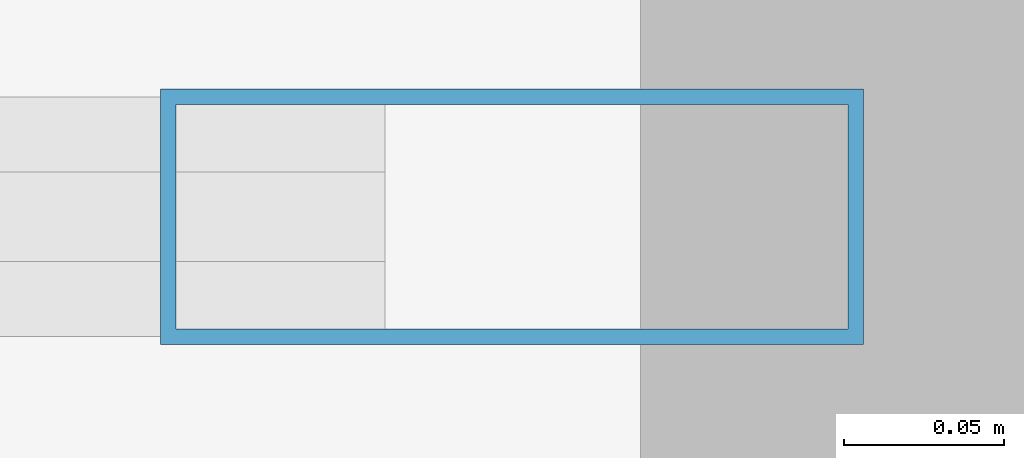
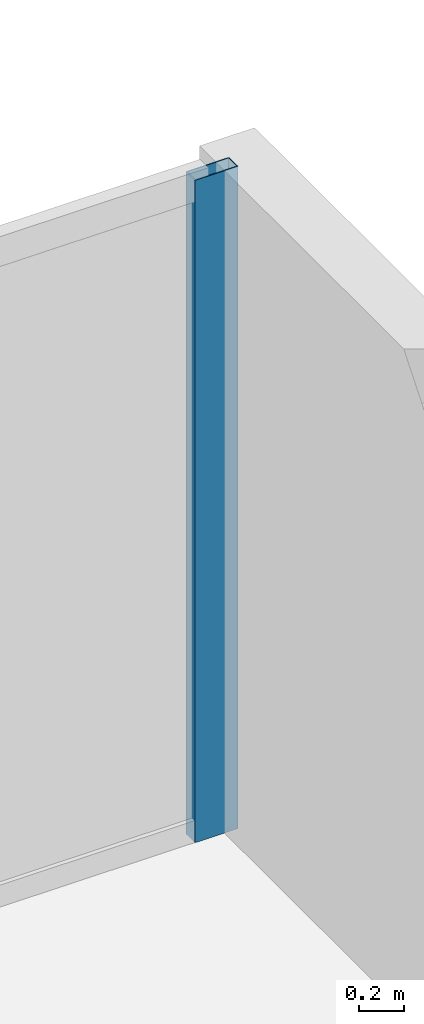
# One storey, part 15 of 27: 1 member, 1 element without a shape of its own.
"""IFC4 building model written with IfcOpenShell, lengths in metres."""

from ifc_helpers import new_model, si_unit, direction, frame, origin, origin_with_axes, origin_2d, place, context, subcontext, project, spatial, hollow_rectangle, extrude, source, transform, mapped, material, layer, layer_set, material_profile, profile_set, type_object, element, aggregate, save


model = new_model("IFC4")

# Units and contexts
model_context = context("Model", 3, precision=1e-05, world=origin(), true_north=direction((0.0, 1.0)))
body_context = subcontext(model_context, "Body", "Model", "MODEL_VIEW")
ifc_project = project(units=[si_unit("LENGTHUNIT", "METRE"), si_unit("AREAUNIT", "SQUARE_METRE"), si_unit("VOLUMEUNIT", "CUBIC_METRE"), si_unit("PLANEANGLEUNIT", "RADIAN"), si_unit("MASSUNIT", "GRAM", prefix="KILO")], contexts=[model_context])

# Site, building, storey
site_placement = place(None, origin())
site = spatial("IfcSite", under=ifc_project, at=site_placement, CompositionType="ELEMENT")
building_placement = place(site_placement, origin())
building = spatial("IfcBuilding", under=site, at=building_placement, Name="Kolvaren Waterfront Exchange", CompositionType="ELEMENT")
storey_placement = place(building_placement, frame((0.0, 0.0, 176.60009765625)))
storey = spatial("IfcBuildingStorey", under=building, at=storey_placement, Name="L45", CompositionType="ELEMENT", Elevation=176.60009765625)

# Curtain wall, member
ifc_material_1 = material(Name="Anodised bronze aluminium 6063-T6", Category="aluminium")
ifc_layer = layer(ifc_material_1, 0.219970703125, Name="Anodised bronze aluminium 6063-T6")
ifc_layer_set = layer_set([ifc_layer], Name="Anodised bronze aluminium 6063-T6")
curtain_wall_type = type_object("IfcCurtainWallType", Name="ARC-CW-SYS1", PredefinedType="USERDEFINED", material=ifc_layer_set)
curtain_wall_placement = place(storey_placement, origin())
curtain_wall = element("IfcCurtainWall", 1, at=curtain_wall_placement, inside=storey, type_object=curtain_wall_type, Name="L45 stick curtain wall CW1 (CW-L45-EN)", ObjectType="STICK CURTAIN WALL", PredefinedType="USERDEFINED")
ifc_material_2 = material(Name="Anodised aluminium 6063-T6", Category="aluminium")
ifc_material_profile = material_profile(ifc_material_2, hollow_rectangle(XDim=0.080078125, YDim=0.219970703125, WallThickness=0.0048828125, at=origin_2d()), Name="ALU-MUL-220x80x5")
ifc_profile_set = profile_set([ifc_material_profile], Name="Anodised aluminium 6063-T6")
member_type = type_object("IfcMemberType", Name="ARC-CWM-220", PredefinedType="MULLION", material=ifc_profile_set)
shared_shape = source(origin_with_axes(), body_context, "Body", "SweptSolid", [
    extrude(hollow_rectangle(XDim=0.080078125, YDim=0.219970703125, WallThickness=0.0048828125, at=origin_2d()), origin(), (0.0, 0.0, 1.0), 3.559814453125),
])
member_placement = place(storey_placement, frame((54.659912109375, 20.9599609375, 0.0), z_axis=(0.0, 0.0, 1.0), x_axis=(0.0, 1.0, 0.0)))
member = element("IfcMember", 2, at=member_placement, type_object=member_type, Name="CW1 mullion 5", PredefinedType="MULLION", context=body_context, shape_type="MappedRepresentation", body=[
    mapped(shared_shape, transform((0.0, 0.0, 0.0), x_axis=(1.0, 0.0, 0.0), y_axis=(0.0, 1.0, 0.0), z_axis=(0.0, 0.0, 1.0), scale=1.0)),
])
aggregate(curtain_wall, [member])

save(model, "model.ifc")
